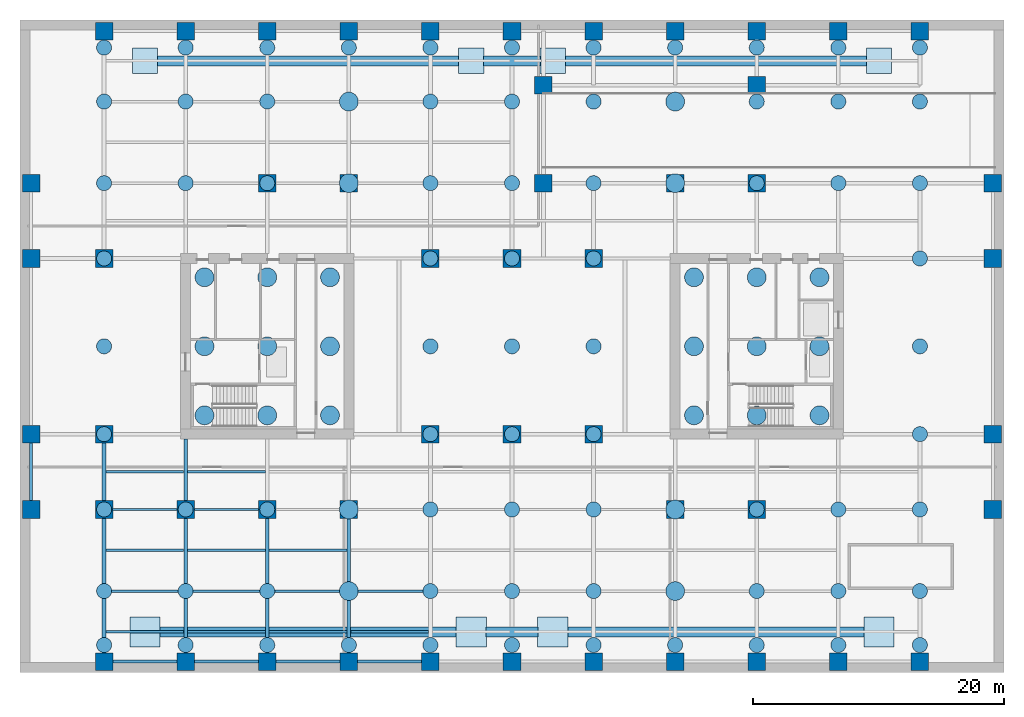
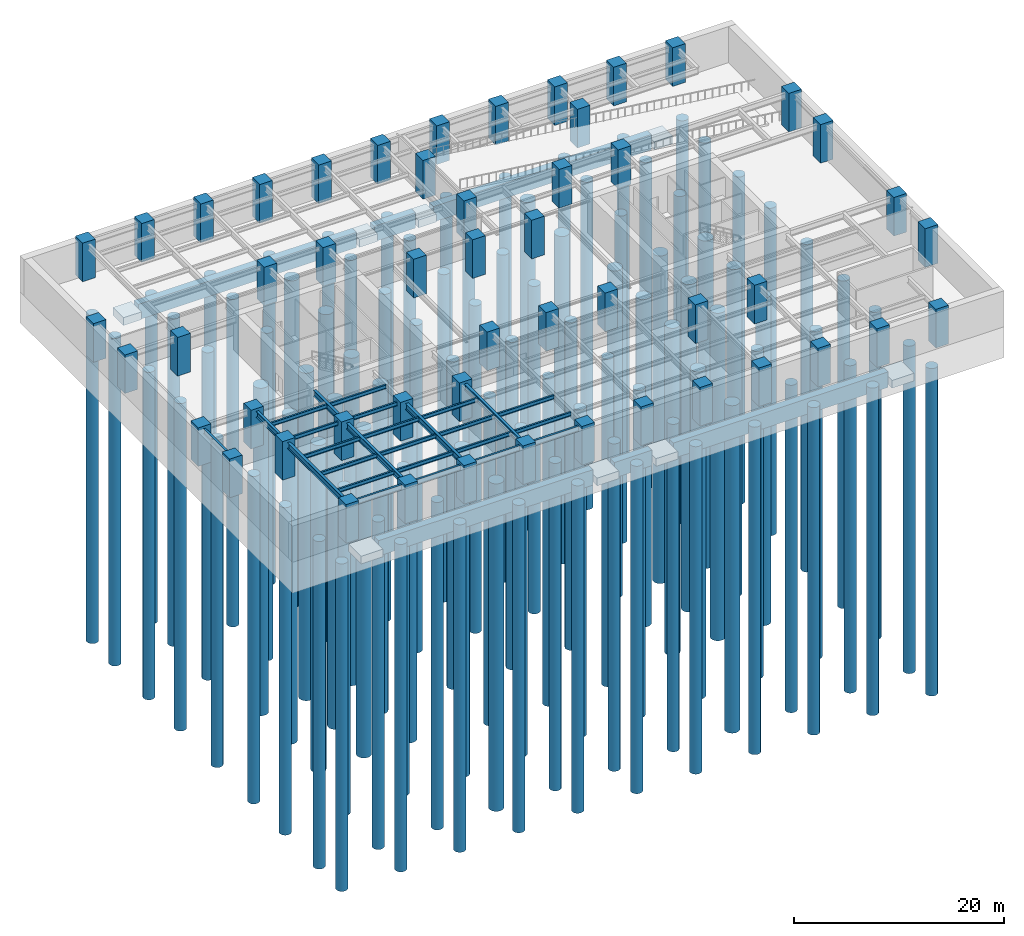
# One storey, part 1 of 11: 99 piles, 51 columns, 26 beams, 14 footings.
"""IFC4 building model written with IfcOpenShell, lengths in metres."""

from ifc_helpers import new_model, si_unit, direction, frame, origin, origin_2d, place, context, subcontext, project, spatial, rectangle, circle, i_section, extrude, material, layer, layer_set, material_profile, profile_set, type_object, element, save


model = new_model("IFC4")

# Units and contexts
model_context = context("Model", 3, precision=1e-05, world=origin(), true_north=direction((0.0, 1.0)))
body_context = subcontext(model_context, "Body", "Model", "MODEL_VIEW")
ifc_project = project(units=[si_unit("LENGTHUNIT", "METRE"), si_unit("AREAUNIT", "SQUARE_METRE"), si_unit("VOLUMEUNIT", "CUBIC_METRE"), si_unit("PLANEANGLEUNIT", "RADIAN"), si_unit("MASSUNIT", "GRAM", prefix="KILO")], contexts=[model_context])

# Site, building, storey
site_placement = place(None, origin())
site = spatial("IfcSite", under=ifc_project, at=site_placement, CompositionType="ELEMENT")
building_placement = place(site_placement, origin())
building = spatial("IfcBuilding", under=site, at=building_placement, Name="Putna Gate Headquarters", CompositionType="ELEMENT")
storey_placement = place(building_placement, frame((0.0, 0.0, -13.5)))
storey = spatial("IfcBuildingStorey", under=building, at=storey_placement, Name="B03", CompositionType="ELEMENT", Elevation=-13.5)

# Footings
ifc_material_1 = material(Name="Concrete C40/50", Category="concrete")
ifc_material_profile_1 = material_profile(ifc_material_1, rectangle(XDim=0.800048828125, YDim=1.800048828125, at=origin_2d()), Name="Concrete C40/50")
ifc_profile_set_1 = profile_set([ifc_material_profile_1], Name="Concrete C40/50")
footing_type_1 = type_object("IfcFootingType", Name="FOOTING-BEAM-800x1800", PredefinedType="FOOTING_BEAM", material=ifc_profile_set_1)
footing_1_placement = place(storey_placement, frame((10.929931640625, 3.25, -4.0), z_axis=(1.0, 0.0, 0.0), x_axis=(0.0, 1.0, 0.0)))
element("IfcFooting", 1, at=footing_1_placement, inside=storey, type_object=footing_type_1, Name="Foundation Tie Beam 1", PredefinedType="FOOTING_BEAM", context=body_context, shape_type="SweptSolid", body=[
    extrude(rectangle(XDim=0.800048828125, YDim=1.800048828125, at=origin_2d()), origin(), (0.0, 0.0, 1.0), 23.64013671875),
])
footing_2_placement = place(storey_placement, frame((36.929931640625, 3.25, -4.0), z_axis=(1.0, 0.0, 0.0), x_axis=(0.0, 1.0, 0.0)))
element("IfcFooting", 2, at=footing_2_placement, inside=storey, type_object=footing_type_1, Name="Foundation Tie Beam 2", PredefinedType="FOOTING_BEAM", context=body_context, shape_type="SweptSolid", body=[
    extrude(rectangle(XDim=0.800048828125, YDim=1.800048828125, at=origin_2d()), origin(), (0.0, 0.0, 1.0), 4.14013671875),
])
footing_3_placement = place(storey_placement, frame((43.429931640625, 3.25, -4.0), z_axis=(1.0, 0.0, 0.0), x_axis=(0.0, 1.0, 0.0)))
element("IfcFooting", 3, at=footing_3_placement, inside=storey, type_object=footing_type_1, Name="Foundation Tie Beam 3", PredefinedType="FOOTING_BEAM", context=body_context, shape_type="SweptSolid", body=[
    extrude(rectangle(XDim=0.800048828125, YDim=1.800048828125, at=origin_2d()), origin(), (0.0, 0.0, 1.0), 23.64013671875),
])
footing_4_placement = place(storey_placement, frame((10.72998046875, 48.75, -4.0), z_axis=(1.0, 0.0, 0.0), x_axis=(0.0, 1.0, 0.0)))
element("IfcFooting", 4, at=footing_4_placement, inside=storey, type_object=footing_type_1, Name="Foundation Tie Beam 4", PredefinedType="FOOTING_BEAM", context=body_context, shape_type="SweptSolid", body=[
    extrude(rectangle(XDim=0.800048828125, YDim=1.800048828125, at=origin_2d()), origin(), (0.0, 0.0, 1.0), 24.0400390625),
])
footing_5_placement = place(storey_placement, frame((36.72998046875, 48.75, -4.0), z_axis=(1.0, 0.0, 0.0), x_axis=(0.0, 1.0, 0.0)))
element("IfcFooting", 5, at=footing_5_placement, inside=storey, type_object=footing_type_1, Name="Foundation Tie Beam 5", PredefinedType="FOOTING_BEAM", context=body_context, shape_type="SweptSolid", body=[
    extrude(rectangle(XDim=0.800048828125, YDim=1.800048828125, at=origin_2d()), origin(), (0.0, 0.0, 1.0), 4.5400390625),
])
footing_6_placement = place(storey_placement, frame((43.22998046875, 48.75, -4.0), z_axis=(1.0, 0.0, 0.0), x_axis=(0.0, 1.0, 0.0)))
element("IfcFooting", 6, at=footing_6_placement, inside=storey, type_object=footing_type_1, Name="Foundation Tie Beam 6", PredefinedType="FOOTING_BEAM", context=body_context, shape_type="SweptSolid", body=[
    extrude(rectangle(XDim=0.800048828125, YDim=1.800048828125, at=origin_2d()), origin(), (0.0, 0.0, 1.0), 24.0400390625),
])
ifc_layer_1 = layer(ifc_material_1, 0.89990234375)
ifc_layer_set_1 = layer_set([ifc_layer_1], Name="Concrete C40/50")
footing_type_2 = type_object("IfcFootingType", Name="FOOTING-PAD-2000", PredefinedType="PAD_FOOTING", material=ifc_layer_set_1)
for number, where, z_axis, x_axis, name in (
    (7, (9.75, 48.75, -4.5), (0.0, 0.0, 1.0), (1.0, 0.0, 0.0), "Foundation Pad Footing 2"),
    (8, (35.75, 48.75, -4.5), (0.0, 0.0, 1.0), (1.0, 0.0, 0.0), "Foundation Pad Footing 4"),
    (9, (42.25, 48.75, -4.5), (0.0, 0.0, 1.0), (1.0, 0.0, 0.0), "Foundation Pad Footing 6"),
    (10, (68.25, 48.75, -4.5), (0.0, 0.0, 1.0), (1.0, 0.0, 0.0), "Foundation Pad Footing 8"),
):
    element("IfcFooting", number, at=place(storey_placement, frame(where, z_axis=z_axis, x_axis=x_axis)), inside=storey, type_object=footing_type_2, Name=name, PredefinedType="PAD_FOOTING", context=body_context, shape_type="SweptSolid", body=[
        extrude(rectangle(XDim=2.0, YDim=2.0, at=origin_2d()), origin(), (0.0, 0.0, 1.0), 0.89990234375),
    ])
ifc_layer_2 = layer(ifc_material_1, 0.89990234375)
ifc_layer_set_2 = layer_set([ifc_layer_2], Name="Concrete C40/50")
footing_type_3 = type_object("IfcFootingType", Name="FOOTING-PAD-2400", PredefinedType="PAD_FOOTING", material=ifc_layer_set_2)
for number, where, z_axis, x_axis, name in (
    (11, (9.75, 3.25, -4.5), (0.0, 0.0, 1.0), (1.0, 0.0, 0.0), "Foundation Pad Footing 1"),
    (12, (35.75, 3.25, -4.5), (0.0, 0.0, 1.0), (1.0, 0.0, 0.0), "Foundation Pad Footing 3"),
    (13, (42.25, 3.25, -4.5), (0.0, 0.0, 1.0), (1.0, 0.0, 0.0), "Foundation Pad Footing 5"),
    (14, (68.25, 3.25, -4.5), (0.0, 0.0, 1.0), (1.0, 0.0, 0.0), "Foundation Pad Footing 7"),
):
    element("IfcFooting", number, at=place(storey_placement, frame(where, z_axis=z_axis, x_axis=x_axis)), inside=storey, type_object=footing_type_3, Name=name, PredefinedType="PAD_FOOTING", context=body_context, shape_type="SweptSolid", body=[
        extrude(rectangle(XDim=2.39990234375, YDim=2.39990234375, at=origin_2d()), origin(), (0.0, 0.0, 1.0), 0.89990234375),
    ])

# Piles
ifc_material_profile_2 = material_profile(ifc_material_1, circle(Radius=0.60009765625, at=origin_2d()), Name="Concrete C40/50")
ifc_profile_set_2 = profile_set([ifc_material_profile_2], Name="Concrete C40/50")
pile_type_1 = type_object("IfcPileType", Name="PILE-BORED-1200", PredefinedType="BORED", material=ifc_profile_set_2)
for number, where, z_axis, x_axis, name in (
    (15, (6.5, 2.199951171875, -3.449951171875), (0.0, 0.0, -1.0), (1.0, 0.0, 0.0), "Bored Pile BP-1200 1"),
    (16, (6.5, 6.5, -3.449951171875), (0.0, 0.0, -1.0), (1.0, 0.0, 0.0), "Bored Pile BP-1200 2"),
    (17, (6.5, 13.0, -3.449951171875), (0.0, 0.0, -1.0), (1.0, 0.0, 0.0), "Bored Pile BP-1200 3"),
    (18, (6.5, 19.0, -3.449951171875), (0.0, 0.0, -1.0), (1.0, 0.0, 0.0), "Bored Pile BP-1200 4"),
    (19, (6.5, 26.0, -3.449951171875), (0.0, 0.0, -1.0), (1.0, 0.0, 0.0), "Bored Pile BP-1200 5"),
    (20, (6.5, 33.0, -3.449951171875), (0.0, 0.0, -1.0), (1.0, 0.0, 0.0), "Bored Pile BP-1200 6"),
    (21, (6.5, 39.0, -3.449951171875), (0.0, 0.0, -1.0), (1.0, 0.0, 0.0), "Bored Pile BP-1200 7"),
    (22, (6.5, 45.5, -3.449951171875), (0.0, 0.0, -1.0), (1.0, 0.0, 0.0), "Bored Pile BP-1200 8"),
    (23, (6.5, 49.800048828125, -3.449951171875), (0.0, 0.0, -1.0), (1.0, 0.0, 0.0), "Bored Pile BP-1200 9"),
    (24, (13.0, 2.199951171875, -3.449951171875), (0.0, 0.0, -1.0), (1.0, 0.0, 0.0), "Bored Pile BP-1200 10"),
    (25, (13.0, 6.5, -3.449951171875), (0.0, 0.0, -1.0), (1.0, 0.0, 0.0), "Bored Pile BP-1200 11"),
    (26, (13.0, 13.0, -3.449951171875), (0.0, 0.0, -1.0), (1.0, 0.0, 0.0), "Bored Pile BP-1200 12"),
    (27, (13.0, 39.0, -3.449951171875), (0.0, 0.0, -1.0), (1.0, 0.0, 0.0), "Bored Pile BP-1200 13"),
    (28, (13.0, 45.5, -3.449951171875), (0.0, 0.0, -1.0), (1.0, 0.0, 0.0), "Bored Pile BP-1200 14"),
    (29, (13.0, 49.800048828125, -3.449951171875), (0.0, 0.0, -1.0), (1.0, 0.0, 0.0), "Bored Pile BP-1200 15"),
    (30, (19.5, 2.199951171875, -3.449951171875), (0.0, 0.0, -1.0), (1.0, 0.0, 0.0), "Bored Pile BP-1200 16"),
    (31, (19.5, 6.5, -3.449951171875), (0.0, 0.0, -1.0), (1.0, 0.0, 0.0), "Bored Pile BP-1200 17"),
    (32, (19.5, 13.0, -3.449951171875), (0.0, 0.0, -1.0), (1.0, 0.0, 0.0), "Bored Pile BP-1200 18"),
    (33, (19.5, 39.0, -3.449951171875), (0.0, 0.0, -1.0), (1.0, 0.0, 0.0), "Bored Pile BP-1200 19"),
    (34, (19.5, 45.5, -3.449951171875), (0.0, 0.0, -1.0), (1.0, 0.0, 0.0), "Bored Pile BP-1200 20"),
    (35, (19.5, 49.800048828125, -3.449951171875), (0.0, 0.0, -1.0), (1.0, 0.0, 0.0), "Bored Pile BP-1200 21"),
    (36, (26.0, 2.199951171875, -3.449951171875), (0.0, 0.0, -1.0), (1.0, 0.0, 0.0), "Bored Pile BP-1200 22"),
    (37, (26.0, 49.800048828125, -3.449951171875), (0.0, 0.0, -1.0), (1.0, 0.0, 0.0), "Bored Pile BP-1200 23"),
    (38, (32.5, 2.199951171875, -3.449951171875), (0.0, 0.0, -1.0), (1.0, 0.0, 0.0), "Bored Pile BP-1200 24"),
    (39, (32.5, 6.5, -3.449951171875), (0.0, 0.0, -1.0), (1.0, 0.0, 0.0), "Bored Pile BP-1200 25"),
    (40, (32.5, 13.0, -3.449951171875), (0.0, 0.0, -1.0), (1.0, 0.0, 0.0), "Bored Pile BP-1200 26"),
    (41, (32.5, 19.0, -3.449951171875), (0.0, 0.0, -1.0), (1.0, 0.0, 0.0), "Bored Pile BP-1200 27"),
    (42, (32.5, 26.0, -3.449951171875), (0.0, 0.0, -1.0), (1.0, 0.0, 0.0), "Bored Pile BP-1200 28"),
    (43, (32.5, 33.0, -3.449951171875), (0.0, 0.0, -1.0), (1.0, 0.0, 0.0), "Bored Pile BP-1200 29"),
    (44, (32.5, 39.0, -3.449951171875), (0.0, 0.0, -1.0), (1.0, 0.0, 0.0), "Bored Pile BP-1200 30"),
    (45, (32.5, 45.5, -3.449951171875), (0.0, 0.0, -1.0), (1.0, 0.0, 0.0), "Bored Pile BP-1200 31"),
    (46, (32.5, 49.800048828125, -3.449951171875), (0.0, 0.0, -1.0), (1.0, 0.0, 0.0), "Bored Pile BP-1200 32"),
    (47, (39.0, 2.199951171875, -3.449951171875), (0.0, 0.0, -1.0), (1.0, 0.0, 0.0), "Bored Pile BP-1200 33"),
    (48, (39.0, 6.5, -3.449951171875), (0.0, 0.0, -1.0), (1.0, 0.0, 0.0), "Bored Pile BP-1200 34"),
    (49, (39.0, 13.0, -3.449951171875), (0.0, 0.0, -1.0), (1.0, 0.0, 0.0), "Bored Pile BP-1200 35"),
    (50, (39.0, 19.0, -3.449951171875), (0.0, 0.0, -1.0), (1.0, 0.0, 0.0), "Bored Pile BP-1200 36"),
    (51, (39.0, 26.0, -3.449951171875), (0.0, 0.0, -1.0), (1.0, 0.0, 0.0), "Bored Pile BP-1200 37"),
    (52, (39.0, 33.0, -3.449951171875), (0.0, 0.0, -1.0), (1.0, 0.0, 0.0), "Bored Pile BP-1200 38"),
    (53, (39.0, 39.0, -3.449951171875), (0.0, 0.0, -1.0), (1.0, 0.0, 0.0), "Bored Pile BP-1200 39"),
    (54, (39.0, 45.5, -3.449951171875), (0.0, 0.0, -1.0), (1.0, 0.0, 0.0), "Bored Pile BP-1200 40"),
    (55, (39.0, 49.800048828125, -3.449951171875), (0.0, 0.0, -1.0), (1.0, 0.0, 0.0), "Bored Pile BP-1200 41"),
    (56, (45.5, 2.199951171875, -3.449951171875), (0.0, 0.0, -1.0), (1.0, 0.0, 0.0), "Bored Pile BP-1200 42"),
    (57, (45.5, 6.5, -3.449951171875), (0.0, 0.0, -1.0), (1.0, 0.0, 0.0), "Bored Pile BP-1200 43"),
    (58, (45.5, 13.0, -3.449951171875), (0.0, 0.0, -1.0), (1.0, 0.0, 0.0), "Bored Pile BP-1200 44"),
    (59, (45.5, 19.0, -3.449951171875), (0.0, 0.0, -1.0), (1.0, 0.0, 0.0), "Bored Pile BP-1200 45"),
    (60, (45.5, 26.0, -3.449951171875), (0.0, 0.0, -1.0), (1.0, 0.0, 0.0), "Bored Pile BP-1200 46"),
    (61, (45.5, 33.0, -3.449951171875), (0.0, 0.0, -1.0), (1.0, 0.0, 0.0), "Bored Pile BP-1200 47"),
    (62, (45.5, 39.0, -3.449951171875), (0.0, 0.0, -1.0), (1.0, 0.0, 0.0), "Bored Pile BP-1200 48"),
    (63, (45.5, 45.5, -3.449951171875), (0.0, 0.0, -1.0), (1.0, 0.0, 0.0), "Bored Pile BP-1200 49"),
    (64, (45.5, 49.800048828125, -3.449951171875), (0.0, 0.0, -1.0), (1.0, 0.0, 0.0), "Bored Pile BP-1200 50"),
    (65, (52.0, 2.199951171875, -3.449951171875), (0.0, 0.0, -1.0), (1.0, 0.0, 0.0), "Bored Pile BP-1200 51"),
    (66, (52.0, 49.800048828125, -3.449951171875), (0.0, 0.0, -1.0), (1.0, 0.0, 0.0), "Bored Pile BP-1200 52"),
    (67, (58.5, 2.199951171875, -3.449951171875), (0.0, 0.0, -1.0), (1.0, 0.0, 0.0), "Bored Pile BP-1200 53"),
    (68, (58.5, 6.5, -3.449951171875), (0.0, 0.0, -1.0), (1.0, 0.0, 0.0), "Bored Pile BP-1200 54"),
    (69, (58.5, 13.0, -3.449951171875), (0.0, 0.0, -1.0), (1.0, 0.0, 0.0), "Bored Pile BP-1200 55"),
    (70, (58.5, 39.0, -3.449951171875), (0.0, 0.0, -1.0), (1.0, 0.0, 0.0), "Bored Pile BP-1200 56"),
    (71, (58.5, 45.5, -3.449951171875), (0.0, 0.0, -1.0), (1.0, 0.0, 0.0), "Bored Pile BP-1200 57"),
    (72, (58.5, 49.800048828125, -3.449951171875), (0.0, 0.0, -1.0), (1.0, 0.0, 0.0), "Bored Pile BP-1200 58"),
    (73, (65.0, 2.199951171875, -3.449951171875), (0.0, 0.0, -1.0), (1.0, 0.0, 0.0), "Bored Pile BP-1200 59"),
    (74, (65.0, 6.5, -3.449951171875), (0.0, 0.0, -1.0), (1.0, 0.0, 0.0), "Bored Pile BP-1200 60"),
    (75, (65.0, 13.0, -3.449951171875), (0.0, 0.0, -1.0), (1.0, 0.0, 0.0), "Bored Pile BP-1200 61"),
    (76, (65.0, 39.0, -3.449951171875), (0.0, 0.0, -1.0), (1.0, 0.0, 0.0), "Bored Pile BP-1200 62"),
    (77, (65.0, 45.5, -3.449951171875), (0.0, 0.0, -1.0), (1.0, 0.0, 0.0), "Bored Pile BP-1200 63"),
    (78, (65.0, 49.800048828125, -3.449951171875), (0.0, 0.0, -1.0), (1.0, 0.0, 0.0), "Bored Pile BP-1200 64"),
    (79, (71.5, 2.199951171875, -3.449951171875), (0.0, 0.0, -1.0), (1.0, 0.0, 0.0), "Bored Pile BP-1200 65"),
    (80, (71.5, 6.5, -3.449951171875), (0.0, 0.0, -1.0), (1.0, 0.0, 0.0), "Bored Pile BP-1200 66"),
    (81, (71.5, 13.0, -3.449951171875), (0.0, 0.0, -1.0), (1.0, 0.0, 0.0), "Bored Pile BP-1200 67"),
    (82, (71.5, 19.0, -3.449951171875), (0.0, 0.0, -1.0), (1.0, 0.0, 0.0), "Bored Pile BP-1200 68"),
    (83, (71.5, 26.0, -3.449951171875), (0.0, 0.0, -1.0), (1.0, 0.0, 0.0), "Bored Pile BP-1200 69"),
    (84, (71.5, 33.0, -3.449951171875), (0.0, 0.0, -1.0), (1.0, 0.0, 0.0), "Bored Pile BP-1200 70"),
    (85, (71.5, 39.0, -3.449951171875), (0.0, 0.0, -1.0), (1.0, 0.0, 0.0), "Bored Pile BP-1200 71"),
    (86, (71.5, 45.5, -3.449951171875), (0.0, 0.0, -1.0), (1.0, 0.0, 0.0), "Bored Pile BP-1200 72"),
    (87, (71.5, 49.800048828125, -3.449951171875), (0.0, 0.0, -1.0), (1.0, 0.0, 0.0), "Bored Pile BP-1200 73"),
):
    element("IfcPile", number, at=place(storey_placement, frame(where, z_axis=z_axis, x_axis=x_axis)), inside=storey, type_object=pile_type_1, Name=name, PredefinedType="BORED", context=body_context, shape_type="SweptSolid", body=[
        extrude(circle(Radius=0.60009765625, at=origin_2d()), origin(), (0.0, 0.0, 1.0), 38.14990234375),
    ])
ifc_material_profile_3 = material_profile(ifc_material_1, circle(Radius=0.75, at=origin_2d()), Name="Concrete C40/50")
ifc_profile_set_3 = profile_set([ifc_material_profile_3], Name="Concrete C40/50")
pile_type_2 = type_object("IfcPileType", Name="PILE-BORED-1500", PredefinedType="BORED", material=ifc_profile_set_3)
for number, where, z_axis, x_axis, name in (
    (88, (14.5, 20.5, -3.449951171875), (0.0, 0.0, -1.0), (1.0, 0.0, 0.0), "Bored Pile BP-1500 1"),
    (89, (14.5, 26.0, -3.449951171875), (0.0, 0.0, -1.0), (1.0, 0.0, 0.0), "Bored Pile BP-1500 2"),
    (90, (14.5, 31.5, -3.449951171875), (0.0, 0.0, -1.0), (1.0, 0.0, 0.0), "Bored Pile BP-1500 3"),
    (91, (19.5, 20.5, -3.449951171875), (0.0, 0.0, -1.0), (1.0, 0.0, 0.0), "Bored Pile BP-1500 4"),
    (92, (19.5, 26.0, -3.449951171875), (0.0, 0.0, -1.0), (1.0, 0.0, 0.0), "Bored Pile BP-1500 5"),
    (93, (19.5, 31.5, -3.449951171875), (0.0, 0.0, -1.0), (1.0, 0.0, 0.0), "Bored Pile BP-1500 6"),
    (94, (24.5, 20.5, -3.449951171875), (0.0, 0.0, -1.0), (1.0, 0.0, 0.0), "Bored Pile BP-1500 7"),
    (95, (24.5, 26.0, -3.449951171875), (0.0, 0.0, -1.0), (1.0, 0.0, 0.0), "Bored Pile BP-1500 8"),
    (96, (24.5, 31.5, -3.449951171875), (0.0, 0.0, -1.0), (1.0, 0.0, 0.0), "Bored Pile BP-1500 9"),
    (97, (26.0, 6.5, -3.449951171875), (0.0, 0.0, -1.0), (1.0, 0.0, 0.0), "Bored Pile BP-1500 10"),
    (98, (26.0, 13.0, -3.449951171875), (0.0, 0.0, -1.0), (1.0, 0.0, 0.0), "Bored Pile BP-1500 11"),
    (99, (26.0, 39.0, -3.449951171875), (0.0, 0.0, -1.0), (1.0, 0.0, 0.0), "Bored Pile BP-1500 12"),
    (100, (26.0, 45.5, -3.449951171875), (0.0, 0.0, -1.0), (1.0, 0.0, 0.0), "Bored Pile BP-1500 13"),
    (101, (52.0, 6.5, -3.449951171875), (0.0, 0.0, -1.0), (1.0, 0.0, 0.0), "Bored Pile BP-1500 14"),
    (102, (52.0, 13.0, -3.449951171875), (0.0, 0.0, -1.0), (1.0, 0.0, 0.0), "Bored Pile BP-1500 15"),
    (103, (52.0, 39.0, -3.449951171875), (0.0, 0.0, -1.0), (1.0, 0.0, 0.0), "Bored Pile BP-1500 16"),
    (104, (52.0, 45.5, -3.449951171875), (0.0, 0.0, -1.0), (1.0, 0.0, 0.0), "Bored Pile BP-1500 17"),
    (105, (53.5, 20.5, -3.449951171875), (0.0, 0.0, -1.0), (1.0, 0.0, 0.0), "Bored Pile BP-1500 18"),
    (106, (53.5, 26.0, -3.449951171875), (0.0, 0.0, -1.0), (1.0, 0.0, 0.0), "Bored Pile BP-1500 19"),
    (107, (53.5, 31.5, -3.449951171875), (0.0, 0.0, -1.0), (1.0, 0.0, 0.0), "Bored Pile BP-1500 20"),
    (108, (58.5, 20.5, -3.449951171875), (0.0, 0.0, -1.0), (1.0, 0.0, 0.0), "Bored Pile BP-1500 21"),
    (109, (58.5, 26.0, -3.449951171875), (0.0, 0.0, -1.0), (1.0, 0.0, 0.0), "Bored Pile BP-1500 22"),
    (110, (58.5, 31.5, -3.449951171875), (0.0, 0.0, -1.0), (1.0, 0.0, 0.0), "Bored Pile BP-1500 23"),
    (111, (63.5, 20.5, -3.449951171875), (0.0, 0.0, -1.0), (1.0, 0.0, 0.0), "Bored Pile BP-1500 24"),
    (112, (63.5, 26.0, -3.449951171875), (0.0, 0.0, -1.0), (1.0, 0.0, 0.0), "Bored Pile BP-1500 25"),
    (113, (63.5, 31.5, -3.449951171875), (0.0, 0.0, -1.0), (1.0, 0.0, 0.0), "Bored Pile BP-1500 26"),
):
    element("IfcPile", number, at=place(storey_placement, frame(where, z_axis=z_axis, x_axis=x_axis)), inside=storey, type_object=pile_type_2, Name=name, PredefinedType="BORED", context=body_context, shape_type="SweptSolid", body=[
        extrude(circle(Radius=0.75, at=origin_2d()), origin(), (0.0, 0.0, 1.0), 38.14990234375),
    ])

# Columns
ifc_material_2 = material(Name="Concrete C60/75", Category="concrete")
ifc_material_profile_4 = material_profile(ifc_material_2, rectangle(XDim=1.39990234375, YDim=1.39990234375, at=origin_2d()), Name="Concrete C60/75")
ifc_profile_set_4 = profile_set([ifc_material_profile_4], Name="Concrete C60/75")
column_type = type_object("IfcColumnType", Name="COL-RC1400-INT", PredefinedType="COLUMN", material=ifc_profile_set_4)
for number, where, z_axis, x_axis, name in (
    (114, (19.5, 39.0, 0.0), (0.0, 0.0, 1.0), (1.0, 0.0, 0.0), "B03 Column CSI-WN"),
    (115, (58.5, 13.0, 0.0), (0.0, 0.0, 1.0), (1.0, 0.0, 0.0), "B03 Column CSI-ES"),
    (116, (58.5, 39.0, 0.0), (0.0, 0.0, 1.0), (1.0, 0.0, 0.0), "B03 Column CSI-EN"),
    (117, (6.5, 19.0, 0.0), (0.0, 0.0, 1.0), (1.0, 0.0, 0.0), "B03 Column CSI-WM"),
    (118, (6.5, 33.0, 0.0), (0.0, 0.0, 1.0), (1.0, 0.0, 0.0), "B03 Column CSI-WNW"),
    (119, (6.5, 13.0, 0.0), (0.0, 0.0, 1.0), (1.0, 0.0, 0.0), "B03 Column CSI-WS"),
    (120, (13.0, 13.0, 0.0), (0.0, 0.0, 1.0), (1.0, 0.0, 0.0), "B03 Column CSI-WS13"),
    (121, (19.5, 13.0, 0.0), (0.0, 0.0, 1.0), (1.0, 0.0, 0.0), "B03 Column CSI-WS19"),
    (122, (32.5, 19.0, 0.0), (0.0, 0.0, 1.0), (1.0, 0.0, 0.0), "B03 Column CAI-S32"),
    (123, (32.5, 33.0, 0.0), (0.0, 0.0, 1.0), (1.0, 0.0, 0.0), "B03 Column CAI-N32"),
    (124, (39.0, 19.0, 0.0), (0.0, 0.0, 1.0), (1.0, 0.0, 0.0), "B03 Column CAI-S39"),
    (125, (39.0, 33.0, 0.0), (0.0, 0.0, 1.0), (1.0, 0.0, 0.0), "B03 Column CAI-N39"),
    (126, (45.5, 19.0, 0.0), (0.0, 0.0, 1.0), (1.0, 0.0, 0.0), "B03 Column CAI-S45"),
    (127, (45.5, 33.0, 0.0), (0.0, 0.0, 1.0), (1.0, 0.0, 0.0), "B03 Column CAI-N45"),
    (128, (41.5, 39.0, 0.0), (0.0, 0.0, 1.0), (1.0, 0.0, 0.0), "B03 Column CRMP-SW"),
    (129, (41.5, 46.800048828125, 0.0), (0.0, 0.0, 1.0), (1.0, 0.0, 0.0), "B03 Column CRMP-NW"),
    (130, (58.5, 46.800048828125, 0.0), (0.0, 0.0, 1.0), (1.0, 0.0, 0.0), "B03 Column CRMP-NM"),
    (131, (26.0, 13.0, 0.0), (0.0, 0.0, 1.0), (1.0, 0.0, 0.0), "B03 Column CAP-WS"),
    (132, (26.0, 39.0, 0.0), (0.0, 0.0, 1.0), (1.0, 0.0, 0.0), "B03 Column CAP-WN"),
    (133, (52.0, 13.0, 0.0), (0.0, 0.0, 1.0), (1.0, 0.0, 0.0), "B03 Column CAP-ES"),
    (134, (52.0, 39.0, 0.0), (0.0, 0.0, 1.0), (1.0, 0.0, 0.0), "B03 Column CAP-EN"),
    (135, (6.5, 0.8798828125, 0.0), (0.0, 0.0, 1.0), (1.0, 0.0, 0.0), "B03 Column CP-S6"),
    (136, (6.5, 51.1201171875, 0.0), (0.0, 0.0, 1.0), (1.0, 0.0, 0.0), "B03 Column CP-N6"),
    (137, (13.0, 0.8798828125, 0.0), (0.0, 0.0, 1.0), (1.0, 0.0, 0.0), "B03 Column CP-S13"),
    (138, (13.0, 51.1201171875, 0.0), (0.0, 0.0, 1.0), (1.0, 0.0, 0.0), "B03 Column CP-N13"),
    (139, (19.5, 0.8798828125, 0.0), (0.0, 0.0, 1.0), (1.0, 0.0, 0.0), "B03 Column CP-S19"),
    (140, (19.5, 51.1201171875, 0.0), (0.0, 0.0, 1.0), (1.0, 0.0, 0.0), "B03 Column CP-N19"),
    (141, (26.0, 0.8798828125, 0.0), (0.0, 0.0, 1.0), (1.0, 0.0, 0.0), "B03 Column CP-S26"),
    (142, (26.0, 51.1201171875, 0.0), (0.0, 0.0, 1.0), (1.0, 0.0, 0.0), "B03 Column CP-N26"),
    (143, (32.5, 0.8798828125, 0.0), (0.0, 0.0, 1.0), (1.0, 0.0, 0.0), "B03 Column CP-S32"),
    (144, (32.5, 51.1201171875, 0.0), (0.0, 0.0, 1.0), (1.0, 0.0, 0.0), "B03 Column CP-N32"),
    (145, (39.0, 0.8798828125, 0.0), (0.0, 0.0, 1.0), (1.0, 0.0, 0.0), "B03 Column CP-S39"),
    (146, (39.0, 51.1201171875, 0.0), (0.0, 0.0, 1.0), (1.0, 0.0, 0.0), "B03 Column CP-N39"),
    (147, (45.5, 0.8798828125, 0.0), (0.0, 0.0, 1.0), (1.0, 0.0, 0.0), "B03 Column CP-S45"),
    (148, (45.5, 51.1201171875, 0.0), (0.0, 0.0, 1.0), (1.0, 0.0, 0.0), "B03 Column CP-N45"),
    (149, (52.0, 0.8798828125, 0.0), (0.0, 0.0, 1.0), (1.0, 0.0, 0.0), "B03 Column CP-S52"),
    (150, (52.0, 51.1201171875, 0.0), (0.0, 0.0, 1.0), (1.0, 0.0, 0.0), "B03 Column CP-N52"),
    (151, (58.5, 0.8798828125, 0.0), (0.0, 0.0, 1.0), (1.0, 0.0, 0.0), "B03 Column CP-S58"),
    (152, (58.5, 51.1201171875, 0.0), (0.0, 0.0, 1.0), (1.0, 0.0, 0.0), "B03 Column CP-N58"),
    (153, (65.0, 0.8798828125, 0.0), (0.0, 0.0, 1.0), (1.0, 0.0, 0.0), "B03 Column CP-S65"),
    (154, (65.0, 51.1201171875, 0.0), (0.0, 0.0, 1.0), (1.0, 0.0, 0.0), "B03 Column CP-N65"),
    (155, (71.5, 0.8798828125, 0.0), (0.0, 0.0, 1.0), (1.0, 0.0, 0.0), "B03 Column CP-S71"),
    (156, (71.5, 51.1201171875, 0.0), (0.0, 0.0, 1.0), (1.0, 0.0, 0.0), "B03 Column CP-N71"),
    (157, (0.679931640625, 13.0, 0.0), (0.0, 0.0, 1.0), (1.0, 0.0, 0.0), "B03 Column CP-W13"),
    (158, (77.320068359375, 13.0, 0.0), (0.0, 0.0, 1.0), (1.0, 0.0, 0.0), "B03 Column CP-E13"),
    (159, (0.679931640625, 19.0, 0.0), (0.0, 0.0, 1.0), (1.0, 0.0, 0.0), "B03 Column CP-W19"),
    (160, (77.320068359375, 19.0, 0.0), (0.0, 0.0, 1.0), (1.0, 0.0, 0.0), "B03 Column CP-E19"),
    (161, (0.679931640625, 33.0, 0.0), (0.0, 0.0, 1.0), (1.0, 0.0, 0.0), "B03 Column CP-W33"),
    (162, (77.320068359375, 33.0, 0.0), (0.0, 0.0, 1.0), (1.0, 0.0, 0.0), "B03 Column CP-E33"),
    (163, (0.679931640625, 39.0, 0.0), (0.0, 0.0, 1.0), (1.0, 0.0, 0.0), "B03 Column CP-W39"),
    (164, (77.320068359375, 39.0, 0.0), (0.0, 0.0, 1.0), (1.0, 0.0, 0.0), "B03 Column CP-E39"),
):
    element("IfcColumn", number, at=place(storey_placement, frame(where, z_axis=z_axis, x_axis=x_axis)), inside=storey, type_object=column_type, Name=name, PredefinedType="COLUMN", context=body_context, shape_type="SweptSolid", body=[
        extrude(rectangle(XDim=1.39990234375, YDim=1.39990234375, at=origin_2d()), origin(), (0.0, 0.0, 1.0), 4.5),
    ])

# Beams
ifc_material_3 = material(Name="Steel S355J2", Category="steel")
ifc_material_profile_5 = material_profile(ifc_material_3, i_section(OverallWidth=0.300048828125, OverallDepth=0.699951171875, WebThickness=0.01708984375, FlangeThickness=0.031982421875, at=origin_2d()), Name="Steel S355J2")
ifc_profile_set_5 = profile_set([ifc_material_profile_5], Name="Steel S355J2")
beam_type_1 = type_object("IfcBeamType", Name="BM-GIRD-B-HEB700", PredefinedType="USERDEFINED", material=ifc_profile_set_5)
beam_1_placement = place(storey_placement, frame((6.5, 1.568115234375, 3.85009765625), z_axis=(0.0, 1.0, 0.0), x_axis=(-1.0, 0.0, 0.0)))
element("IfcBeam", 165, at=beam_1_placement, inside=storey, type_object=beam_type_1, Name="B03 South Primary Girder X6-1", ObjectType="GIRDER", PredefinedType="USERDEFINED", context=body_context, shape_type="SweptSolid", body=[
    extrude(i_section(OverallWidth=0.300048828125, OverallDepth=0.699951171875, WebThickness=0.01708984375, FlangeThickness=0.031982421875, at=origin_2d()), origin(), (0.0, 0.0, 1.0), 10.743896484375),
])
beam_2_placement = place(storey_placement, frame((6.5, 13.68798828125, 3.85009765625), z_axis=(0.0, 1.0, 0.0), x_axis=(-1.0, 0.0, 0.0)))
element("IfcBeam", 166, at=beam_2_placement, inside=storey, type_object=beam_type_1, Name="B03 South Primary Girder X6-2", ObjectType="GIRDER", PredefinedType="USERDEFINED", context=body_context, shape_type="SweptSolid", body=[
    extrude(i_section(OverallWidth=0.300048828125, OverallDepth=0.699951171875, WebThickness=0.01708984375, FlangeThickness=0.031982421875, at=origin_2d()), origin(), (0.0, 0.0, 1.0), 4.6240234375),
])
beam_3_placement = place(storey_placement, frame((13.0, 1.568115234375, 3.85009765625), z_axis=(0.0, 1.0, 0.0), x_axis=(-1.0, 0.0, 0.0)))
element("IfcBeam", 167, at=beam_3_placement, inside=storey, type_object=beam_type_1, Name="B03 South Primary Girder X13-1", ObjectType="GIRDER", PredefinedType="USERDEFINED", context=body_context, shape_type="SweptSolid", body=[
    extrude(i_section(OverallWidth=0.300048828125, OverallDepth=0.699951171875, WebThickness=0.01708984375, FlangeThickness=0.031982421875, at=origin_2d()), origin(), (0.0, 0.0, 1.0), 10.743896484375),
])
beam_4_placement = place(storey_placement, frame((13.0, 13.68798828125, 3.85009765625), z_axis=(0.0, 1.0, 0.0), x_axis=(-1.0, 0.0, 0.0)))
element("IfcBeam", 168, at=beam_4_placement, inside=storey, type_object=beam_type_1, Name="B03 South Primary Girder X13-2", ObjectType="GIRDER", PredefinedType="USERDEFINED", context=body_context, shape_type="SweptSolid", body=[
    extrude(i_section(OverallWidth=0.300048828125, OverallDepth=0.699951171875, WebThickness=0.01708984375, FlangeThickness=0.031982421875, at=origin_2d()), origin(), (0.0, 0.0, 1.0), 4.927001953125),
])
for number, where, z_axis, x_axis, name in (
    (169, (19.5, 1.568115234375, 3.85009765625), (0.0, 1.0, 0.0), (-1.0, 0.0, 0.0), "B03 South Primary Girder X19-1"),
    (170, (26.0, 1.568115234375, 3.85009765625), (0.0, 1.0, 0.0), (-1.0, 0.0, 0.0), "B03 South Primary Girder X26-1"),
):
    element("IfcBeam", number, at=place(storey_placement, frame(where, z_axis=z_axis, x_axis=x_axis)), inside=storey, type_object=beam_type_1, Name=name, ObjectType="GIRDER", PredefinedType="USERDEFINED", context=body_context, shape_type="SweptSolid", body=[
        extrude(i_section(OverallWidth=0.300048828125, OverallDepth=0.699951171875, WebThickness=0.01708984375, FlangeThickness=0.031982421875, at=origin_2d()), origin(), (0.0, 0.0, 1.0), 10.743896484375),
    ])
ifc_material_profile_6 = material_profile(ifc_material_3, i_section(OverallWidth=0.18994140625, OverallDepth=0.449951171875, WebThickness=0.009521484375, FlangeThickness=0.0146484375, at=origin_2d()), Name="Steel S355J2")
ifc_profile_set_6 = profile_set([ifc_material_profile_6], Name="Steel S355J2")
beam_type_2 = type_object("IfcBeamType", Name="BM-SEC-B-IPE450", PredefinedType="BEAM", material=ifc_profile_set_6)
for number, where, z_axis, x_axis, name in (
    (171, (6.654052734375, 3.25, 3.97509765625), (1.0, 0.0, 0.0), (0.0, 1.0, 0.0), "B03 South Secondary Beam 1"),
    (172, (6.654052734375, 6.5, 3.97509765625), (1.0, 0.0, 0.0), (0.0, 1.0, 0.0), "B03 South Secondary Beam 1"),
    (173, (6.654052734375, 9.75, 3.97509765625), (1.0, 0.0, 0.0), (0.0, 1.0, 0.0), "B03 South Secondary Beam 1"),
):
    element("IfcBeam", number, at=place(storey_placement, frame(where, z_axis=z_axis, x_axis=x_axis)), inside=storey, type_object=beam_type_2, Name=name, PredefinedType="BEAM", context=body_context, shape_type="SweptSolid", body=[
        extrude(i_section(OverallWidth=0.18994140625, OverallDepth=0.449951171875, WebThickness=0.009521484375, FlangeThickness=0.0146484375, at=origin_2d()), origin(), (0.0, 0.0, 1.0), 6.19189453125),
    ])
beam_5_placement = place(storey_placement, frame((7.18798828125, 13.0, 3.97509765625), z_axis=(1.0, 0.0, 0.0), x_axis=(0.0, 1.0, 0.0)))
element("IfcBeam", 174, at=beam_5_placement, inside=storey, type_object=beam_type_2, Name="B03 South Secondary Beam 1", PredefinedType="BEAM", context=body_context, shape_type="SweptSolid", body=[
    extrude(i_section(OverallWidth=0.18994140625, OverallDepth=0.449951171875, WebThickness=0.009521484375, FlangeThickness=0.0146484375, at=origin_2d()), origin(), (0.0, 0.0, 1.0), 5.1240234375),
])
for number, where, z_axis, x_axis, name in (
    (175, (6.654052734375, 16.0, 3.97509765625), (1.0, 0.0, 0.0), (0.0, 1.0, 0.0), "B03 South Secondary Beam 1"),
    (176, (13.154052734375, 3.25, 3.97509765625), (1.0, 0.0, 0.0), (0.0, 1.0, 0.0), "B03 South Secondary Beam 2"),
    (177, (13.154052734375, 6.5, 3.97509765625), (1.0, 0.0, 0.0), (0.0, 1.0, 0.0), "B03 South Secondary Beam 2"),
    (178, (13.154052734375, 9.75, 3.97509765625), (1.0, 0.0, 0.0), (0.0, 1.0, 0.0), "B03 South Secondary Beam 2"),
):
    element("IfcBeam", number, at=place(storey_placement, frame(where, z_axis=z_axis, x_axis=x_axis)), inside=storey, type_object=beam_type_2, Name=name, PredefinedType="BEAM", context=body_context, shape_type="SweptSolid", body=[
        extrude(i_section(OverallWidth=0.18994140625, OverallDepth=0.449951171875, WebThickness=0.009521484375, FlangeThickness=0.0146484375, at=origin_2d()), origin(), (0.0, 0.0, 1.0), 6.19189453125),
    ])
beam_6_placement = place(storey_placement, frame((13.68798828125, 13.0, 3.97509765625), z_axis=(1.0, 0.0, 0.0), x_axis=(0.0, 1.0, 0.0)))
element("IfcBeam", 179, at=beam_6_placement, inside=storey, type_object=beam_type_2, Name="B03 South Secondary Beam 2", PredefinedType="BEAM", context=body_context, shape_type="SweptSolid", body=[
    extrude(i_section(OverallWidth=0.18994140625, OverallDepth=0.449951171875, WebThickness=0.009521484375, FlangeThickness=0.0146484375, at=origin_2d()), origin(), (0.0, 0.0, 1.0), 5.1240234375),
])
for number, where, z_axis, x_axis, name in (
    (180, (13.154052734375, 16.0, 3.97509765625), (1.0, 0.0, 0.0), (0.0, 1.0, 0.0), "B03 South Secondary Beam 2"),
    (181, (19.654052734375, 3.25, 3.97509765625), (1.0, 0.0, 0.0), (0.0, 1.0, 0.0), "B03 South Secondary Beam 3"),
    (182, (19.654052734375, 6.5, 3.97509765625), (1.0, 0.0, 0.0), (0.0, 1.0, 0.0), "B03 South Secondary Beam 3"),
    (183, (19.654052734375, 9.75, 3.97509765625), (1.0, 0.0, 0.0), (0.0, 1.0, 0.0), "B03 South Secondary Beam 3"),
    (184, (26.154052734375, 3.25, 3.97509765625), (1.0, 0.0, 0.0), (0.0, 1.0, 0.0), "B03 South Secondary Beam 4"),
    (185, (26.154052734375, 6.5, 3.97509765625), (1.0, 0.0, 0.0), (0.0, 1.0, 0.0), "B03 South Secondary Beam 4"),
):
    element("IfcBeam", number, at=place(storey_placement, frame(where, z_axis=z_axis, x_axis=x_axis)), inside=storey, type_object=beam_type_2, Name=name, PredefinedType="BEAM", context=body_context, shape_type="SweptSolid", body=[
        extrude(i_section(OverallWidth=0.18994140625, OverallDepth=0.449951171875, WebThickness=0.009521484375, FlangeThickness=0.0146484375, at=origin_2d()), origin(), (0.0, 0.0, 1.0), 6.19189453125),
    ])
ifc_material_profile_7 = material_profile(ifc_material_3, i_section(OverallWidth=0.219970703125, OverallDepth=0.60009765625, WebThickness=0.011962890625, FlangeThickness=0.01904296875, at=origin_2d()), Name="Steel S355J2")
ifc_profile_set_7 = profile_set([ifc_material_profile_7], Name="Steel S355J2")
beam_type_3 = type_object("IfcBeamType", Name="BM-SPAN-B-IPE600", PredefinedType="SPANDREL", material=ifc_profile_set_7)
for number, where, z_axis, x_axis, name in (
    (186, (7.18798828125, 0.8798828125, 3.89990234375), (1.0, 0.0, 0.0), (0.0, 1.0, 0.0), "B03 S Perimeter Spandrel 1"),
    (187, (13.68798828125, 0.8798828125, 3.89990234375), (1.0, 0.0, 0.0), (0.0, 1.0, 0.0), "B03 S Perimeter Spandrel 2"),
    (188, (20.18798828125, 0.8798828125, 3.89990234375), (1.0, 0.0, 0.0), (0.0, 1.0, 0.0), "B03 S Perimeter Spandrel 3"),
    (189, (26.68798828125, 0.8798828125, 3.89990234375), (1.0, 0.0, 0.0), (0.0, 1.0, 0.0), "B03 S Perimeter Spandrel 4"),
):
    element("IfcBeam", number, at=place(storey_placement, frame(where, z_axis=z_axis, x_axis=x_axis)), inside=storey, type_object=beam_type_3, Name=name, PredefinedType="SPANDREL", context=body_context, shape_type="SweptSolid", body=[
        extrude(i_section(OverallWidth=0.219970703125, OverallDepth=0.60009765625, WebThickness=0.011962890625, FlangeThickness=0.01904296875, at=origin_2d()), origin(), (0.0, 0.0, 1.0), 5.1240234375),
    ])
beam_7_placement = place(storey_placement, frame((0.679931640625, 13.68798828125, 3.89990234375), z_axis=(0.0, 1.0, 0.0), x_axis=(-1.0, 0.0, 0.0)))
element("IfcBeam", 190, at=beam_7_placement, inside=storey, type_object=beam_type_3, Name="B03 W End Spandrel 1", PredefinedType="SPANDREL", context=body_context, shape_type="SweptSolid", body=[
    extrude(i_section(OverallWidth=0.219970703125, OverallDepth=0.60009765625, WebThickness=0.011962890625, FlangeThickness=0.01904296875, at=origin_2d()), origin(), (0.0, 0.0, 1.0), 4.6240234375),
])

save(model, "model.ifc")
